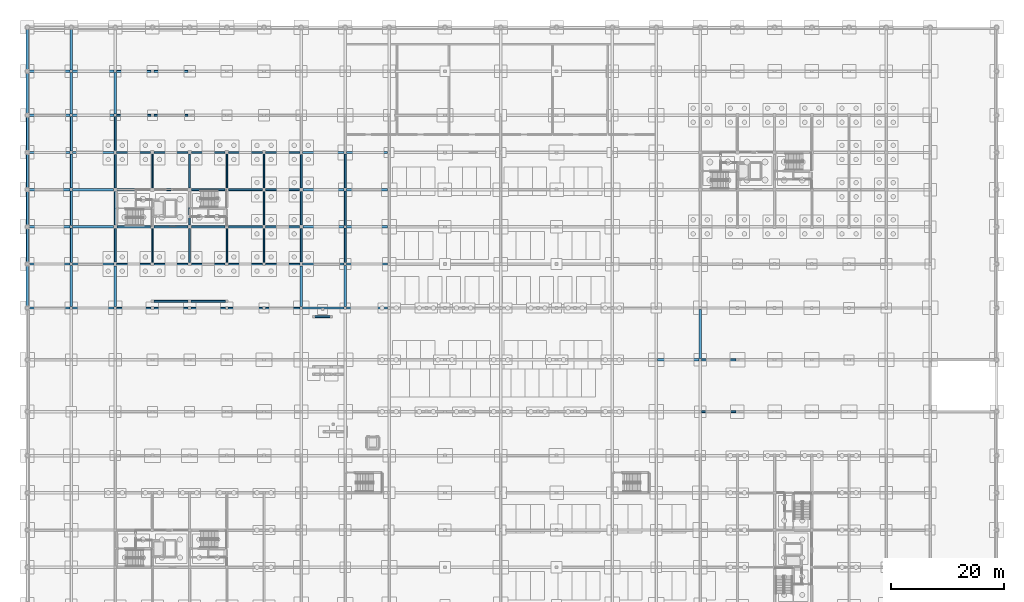
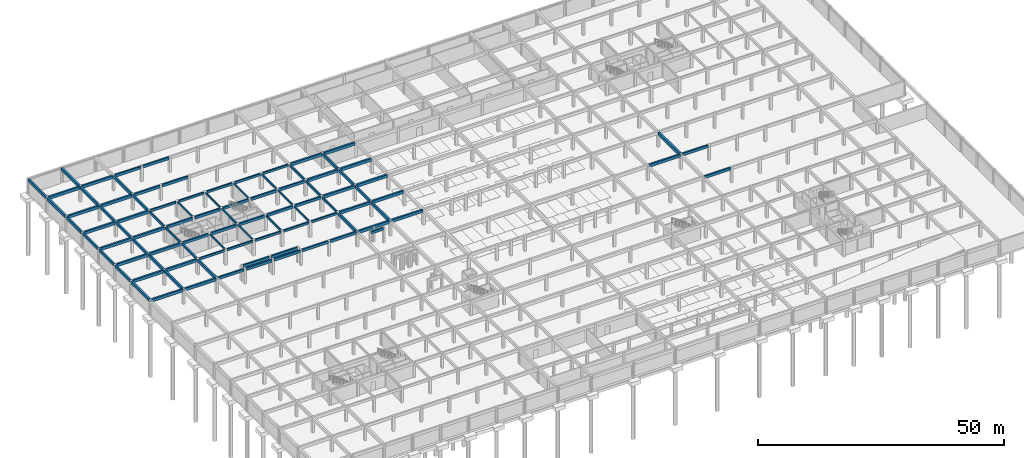
# One storey, part 18 of 37: 98 beams.
"""IFC4 building model written with IfcOpenShell, lengths in metres."""

from ifc_helpers import new_model, si_unit, direction, frame, origin, origin_2d, place, context, subcontext, project, spatial, rectangle, extrude, material, material_profile, profile_set, type_object, element, save


model = new_model("IFC4")

# Units and contexts
model_context = context("Model", 3, precision=1e-05, world=origin(), true_north=direction((0.0, 1.0)))
body_context = subcontext(model_context, "Body", "Model", "MODEL_VIEW")
ifc_project = project(units=[si_unit("LENGTHUNIT", "METRE"), si_unit("AREAUNIT", "SQUARE_METRE"), si_unit("VOLUMEUNIT", "CUBIC_METRE"), si_unit("PLANEANGLEUNIT", "RADIAN"), si_unit("MASSUNIT", "GRAM", prefix="KILO")], contexts=[model_context])

# Site, building, storey
site_placement = place(None, origin())
site = spatial("IfcSite", under=ifc_project, at=site_placement, CompositionType="ELEMENT")
building_placement = place(site_placement, origin())
building = spatial("IfcBuilding", under=site, at=building_placement, Name="Kernevlak Ridge Housing Community", CompositionType="ELEMENT")
storey_placement = place(building_placement, frame((0.0, 0.0, -3.800048828125)))
storey = spatial("IfcBuildingStorey", under=building, at=storey_placement, Name="B1", CompositionType="ELEMENT", Elevation=-3.800048828125)

# Beams
ifc_material = material(Name="Concrete C35/45", Category="concrete")
ifc_material_profile_1 = material_profile(ifc_material, rectangle(XDim=0.39990234375, YDim=0.699951171875, at=origin_2d()), Name="RC 400x700")
ifc_profile_set_1 = profile_set([ifc_material_profile_1], Name="Concrete C35/45")
beam_type_1 = type_object("IfcBeamType", Name="B-01", PredefinedType="BEAM", material=ifc_profile_set_1)
beam_1_placement = place(storey_placement, frame((111.85009765625, 59.0, 3.449951171875), z_axis=(1.0, 0.0, 0.0), x_axis=(0.0, 1.0, 0.0)))
element("IfcBeam", 1, at=beam_1_placement, inside=storey, type_object=beam_type_1, Name="Beam B-01 B1 1704", PredefinedType="BEAM", context=body_context, shape_type="SweptSolid", body=[
    extrude(rectangle(XDim=0.39990234375, YDim=0.699951171875, at=origin_2d()), origin(), (0.0, 0.0, 1.0), 7.2998046875),
])
beam_2_placement = place(storey_placement, frame((0.300048828125, 68.199951171875, 3.449951171875), z_axis=(1.0, 0.0, 0.0), x_axis=(0.0, 1.0, 0.0)))
element("IfcBeam", 2, at=beam_2_placement, inside=storey, type_object=beam_type_1, Name="Beam B-01 B1 1712", PredefinedType="BEAM", context=body_context, shape_type="SweptSolid", body=[
    extrude(rectangle(XDim=0.39990234375, YDim=0.699951171875, at=origin_2d()), origin(), (0.0, 0.0, 1.0), 7.25),
])
beam_3_placement = place(storey_placement, frame((8.050048828125, 68.199951171875, 3.449951171875), z_axis=(1.0, 0.0, 0.0), x_axis=(0.0, 1.0, 0.0)))
element("IfcBeam", 3, at=beam_3_placement, inside=storey, type_object=beam_type_1, Name="Beam B-01 B1 1713", PredefinedType="BEAM", context=body_context, shape_type="SweptSolid", body=[
    extrude(rectangle(XDim=0.39990234375, YDim=0.699951171875, at=origin_2d()), origin(), (0.0, 0.0, 1.0), 7.300048828125),
])
beam_4_placement = place(storey_placement, frame((48.85009765625, 68.199951171875, 3.449951171875), z_axis=(1.0, 0.0, 0.0), x_axis=(0.0, 1.0, 0.0)))
element("IfcBeam", 4, at=beam_4_placement, inside=storey, type_object=beam_type_1, Name="Beam B-01 B1 1719", PredefinedType="BEAM", context=body_context, shape_type="SweptSolid", body=[
    extrude(rectangle(XDim=0.39990234375, YDim=0.699951171875, at=origin_2d()), origin(), (0.0, 0.0, 1.0), 7.2998046875),
])
beam_5_placement = place(storey_placement, frame((56.64990234375, 68.199951171875, 3.449951171875), z_axis=(1.0, 0.0, 0.0), x_axis=(0.0, 1.0, 0.0)))
element("IfcBeam", 5, at=beam_5_placement, inside=storey, type_object=beam_type_1, Name="Beam B-01 B1 1720", PredefinedType="BEAM", context=body_context, shape_type="SweptSolid", body=[
    extrude(rectangle(XDim=0.39990234375, YDim=0.699951171875, at=origin_2d()), origin(), (0.0, 0.0, 1.0), 7.275146484375),
])
beam_6_placement = place(storey_placement, frame((0.300048828125, 76.0, 3.449951171875), z_axis=(1.0, 0.0, 0.0), x_axis=(0.0, 1.0, 0.0)))
element("IfcBeam", 6, at=beam_6_placement, inside=storey, type_object=beam_type_1, Name="Beam B-01 B1 1739", PredefinedType="BEAM", context=body_context, shape_type="SweptSolid", body=[
    extrude(rectangle(XDim=0.39990234375, YDim=0.699951171875, at=origin_2d()), origin(), (0.0, 0.0, 1.0), 7.25),
])
beam_7_placement = place(storey_placement, frame((8.050048828125, 76.0, 3.449951171875), z_axis=(1.0, 0.0, 0.0), x_axis=(0.0, 1.0, 0.0)))
element("IfcBeam", 7, at=beam_7_placement, inside=storey, type_object=beam_type_1, Name="Beam B-01 B1 1740", PredefinedType="BEAM", context=body_context, shape_type="SweptSolid", body=[
    extrude(rectangle(XDim=0.39990234375, YDim=0.699951171875, at=origin_2d()), origin(), (0.0, 0.0, 1.0), 7.300048828125),
])
beam_8_placement = place(storey_placement, frame((48.85009765625, 76.0, 3.449951171875), z_axis=(1.0, 0.0, 0.0), x_axis=(0.0, 1.0, 0.0)))
element("IfcBeam", 8, at=beam_8_placement, inside=storey, type_object=beam_type_1, Name="Beam B-01 B1 1741", PredefinedType="BEAM", context=body_context, shape_type="SweptSolid", body=[
    extrude(rectangle(XDim=0.39990234375, YDim=0.699951171875, at=origin_2d()), origin(), (0.0, 0.0, 1.0), 7.2998046875),
])
beam_9_placement = place(storey_placement, frame((56.64990234375, 76.0, 3.449951171875), z_axis=(1.0, 0.0, 0.0), x_axis=(0.0, 1.0, 0.0)))
element("IfcBeam", 9, at=beam_9_placement, inside=storey, type_object=beam_type_1, Name="Beam B-01 B1 1742", PredefinedType="BEAM", context=body_context, shape_type="SweptSolid", body=[
    extrude(rectangle(XDim=0.39990234375, YDim=0.699951171875, at=origin_2d()), origin(), (0.0, 0.0, 1.0), 7.300048828125),
])
for number, where, z_axis, x_axis, name in (
    (10, (0.300048828125, 82.60009765625, 3.449951171875), (1.0, 0.0, 0.0), (0.0, 1.0, 0.0), "Beam B-01 B1 1755"),
    (11, (8.050048828125, 82.60009765625, 3.449951171875), (1.0, 0.0, 0.0), (0.0, 1.0, 0.0), "Beam B-01 B1 1756"),
    (12, (48.89990234375, 82.60009765625, 3.449951171875), (1.0, 0.0, 0.0), (0.0, 1.0, 0.0), "Beam B-01 B1 1757"),
):
    element("IfcBeam", number, at=place(storey_placement, frame(where, z_axis=z_axis, x_axis=x_axis)), inside=storey, type_object=beam_type_1, Name=name, PredefinedType="BEAM", context=body_context, shape_type="SweptSolid", body=[
        extrude(rectangle(XDim=0.39990234375, YDim=0.699951171875, at=origin_2d()), origin(), (0.0, 0.0, 1.0), 7.25),
    ])
beam_10_placement = place(storey_placement, frame((56.64990234375, 82.60009765625, 3.449951171875), z_axis=(1.0, 0.0, 0.0), x_axis=(0.0, 1.0, 0.0)))
element("IfcBeam", 13, at=beam_10_placement, inside=storey, type_object=beam_type_1, Name="Beam B-01 B1 1758", PredefinedType="BEAM", context=body_context, shape_type="SweptSolid", body=[
    extrude(rectangle(XDim=0.39990234375, YDim=0.699951171875, at=origin_2d()), origin(), (0.0, 0.0, 1.0), 7.300048828125),
])
for number, where, z_axis, x_axis, name in (
    (14, (0.300048828125, 89.199951171875, 3.449951171875), (1.0, 0.0, 0.0), (0.0, 1.0, 0.0), "Beam B-01 B1 1766"),
    (15, (8.050048828125, 89.199951171875, 3.449951171875), (1.0, 0.0, 0.0), (0.0, 1.0, 0.0), "Beam B-01 B1 1767"),
    (16, (48.89990234375, 89.199951171875, 3.449951171875), (1.0, 0.0, 0.0), (0.0, 1.0, 0.0), "Beam B-01 B1 1768"),
):
    element("IfcBeam", number, at=place(storey_placement, frame(where, z_axis=z_axis, x_axis=x_axis)), inside=storey, type_object=beam_type_1, Name=name, PredefinedType="BEAM", context=body_context, shape_type="SweptSolid", body=[
        extrude(rectangle(XDim=0.39990234375, YDim=0.699951171875, at=origin_2d()), origin(), (0.0, 0.0, 1.0), 7.25),
    ])
beam_11_placement = place(storey_placement, frame((56.64990234375, 89.199951171875, 3.449951171875), z_axis=(1.0, 0.0, 0.0), x_axis=(0.0, 1.0, 0.0)))
element("IfcBeam", 17, at=beam_11_placement, inside=storey, type_object=beam_type_1, Name="Beam B-01 B1 1769", PredefinedType="BEAM", context=body_context, shape_type="SweptSolid", body=[
    extrude(rectangle(XDim=0.39990234375, YDim=0.699951171875, at=origin_2d()), origin(), (0.0, 0.0, 1.0), 7.300048828125),
])
beam_12_placement = place(storey_placement, frame((0.300048828125, 95.800048828125, 3.449951171875), z_axis=(1.0, 0.0, 0.0), x_axis=(0.0, 1.0, 0.0)))
element("IfcBeam", 18, at=beam_12_placement, inside=storey, type_object=beam_type_1, Name="Beam B-01 B1 1777", PredefinedType="BEAM", context=body_context, shape_type="SweptSolid", body=[
    extrude(rectangle(XDim=0.39990234375, YDim=0.699951171875, at=origin_2d()), origin(), (0.0, 0.0, 1.0), 7.25),
])
beam_13_placement = place(storey_placement, frame((8.050048828125, 95.800048828125, 3.449951171875), z_axis=(1.0, 0.0, 0.0), x_axis=(0.0, 1.0, 0.0)))
element("IfcBeam", 19, at=beam_13_placement, inside=storey, type_object=beam_type_1, Name="Beam B-01 B1 1778", PredefinedType="BEAM", context=body_context, shape_type="SweptSolid", body=[
    extrude(rectangle(XDim=0.39990234375, YDim=0.699951171875, at=origin_2d()), origin(), (0.0, 0.0, 1.0), 7.300048828125),
])
beam_14_placement = place(storey_placement, frame((48.85009765625, 95.800048828125, 3.449951171875), z_axis=(1.0, 0.0, 0.0), x_axis=(0.0, 1.0, 0.0)))
element("IfcBeam", 20, at=beam_14_placement, inside=storey, type_object=beam_type_1, Name="Beam B-01 B1 1779", PredefinedType="BEAM", context=body_context, shape_type="SweptSolid", body=[
    extrude(rectangle(XDim=0.39990234375, YDim=0.699951171875, at=origin_2d()), origin(), (0.0, 0.0, 1.0), 7.2998046875),
])
beam_15_placement = place(storey_placement, frame((56.64990234375, 95.800048828125, 3.449951171875), z_axis=(1.0, 0.0, 0.0), x_axis=(0.0, 1.0, 0.0)))
element("IfcBeam", 21, at=beam_15_placement, inside=storey, type_object=beam_type_1, Name="Beam B-01 B1 1780", PredefinedType="BEAM", context=body_context, shape_type="SweptSolid", body=[
    extrude(rectangle(XDim=0.39990234375, YDim=0.699951171875, at=origin_2d()), origin(), (0.0, 0.0, 1.0), 7.300048828125),
])
beam_16_placement = place(storey_placement, frame((0.300048828125, 102.39990234375, 3.449951171875), z_axis=(1.0, 0.0, 0.0), x_axis=(0.0, 1.0, 0.0)))
element("IfcBeam", 22, at=beam_16_placement, inside=storey, type_object=beam_type_1, Name="Beam B-01 B1 1788", PredefinedType="BEAM", context=body_context, shape_type="SweptSolid", body=[
    extrude(rectangle(XDim=0.39990234375, YDim=0.699951171875, at=origin_2d()), origin(), (0.0, 0.0, 1.0), 7.25),
])
beam_17_placement = place(storey_placement, frame((8.050048828125, 102.39990234375, 3.449951171875), z_axis=(1.0, 0.0, 0.0), x_axis=(0.0, 1.0, 0.0)))
element("IfcBeam", 23, at=beam_17_placement, inside=storey, type_object=beam_type_1, Name="Beam B-01 B1 1789", PredefinedType="BEAM", context=body_context, shape_type="SweptSolid", body=[
    extrude(rectangle(XDim=0.39990234375, YDim=0.699951171875, at=origin_2d()), origin(), (0.0, 0.0, 1.0), 7.300048828125),
])
beam_18_placement = place(storey_placement, frame((0.300048828125, 110.199951171875, 3.449951171875), z_axis=(1.0, 0.0, 0.0), x_axis=(0.0, 1.0, 0.0)))
element("IfcBeam", 24, at=beam_18_placement, inside=storey, type_object=beam_type_1, Name="Beam B-01 B1 1804", PredefinedType="BEAM", context=body_context, shape_type="SweptSolid", body=[
    extrude(rectangle(XDim=0.39990234375, YDim=0.699951171875, at=origin_2d()), origin(), (0.0, 0.0, 1.0), 7.25),
])
beam_19_placement = place(storey_placement, frame((8.050048828125, 110.199951171875, 3.449951171875), z_axis=(1.0, 0.0, 0.0), x_axis=(0.0, 1.0, 0.0)))
element("IfcBeam", 25, at=beam_19_placement, inside=storey, type_object=beam_type_1, Name="Beam B-01 B1 1805", PredefinedType="BEAM", context=body_context, shape_type="SweptSolid", body=[
    extrude(rectangle(XDim=0.39990234375, YDim=0.699951171875, at=origin_2d()), origin(), (0.0, 0.0, 1.0), 7.300048828125),
])
for number, where, z_axis, x_axis, name in (
    (26, (0.0, 68.5, 3.449951171875), (0.0, 1.0, 0.0), (-1.0, 0.0, 0.0), "Beam B-01 B1 1855"),
    (27, (0.0, 102.699951171875, 3.449951171875), (0.0, 1.0, 0.0), (-1.0, 0.0, 0.0), "Beam B-01 B1 1860"),
):
    element("IfcBeam", number, at=place(storey_placement, frame(where, z_axis=z_axis, x_axis=x_axis)), inside=storey, type_object=beam_type_1, Name=name, PredefinedType="BEAM", context=body_context, shape_type="SweptSolid", body=[
        extrude(rectangle(XDim=0.39990234375, YDim=0.699951171875, at=origin_2d()), origin(), (0.0, 0.0, 1.0), 7.199951171875),
    ])
beam_20_placement = place(storey_placement, frame((0.0, 110.5, 3.449951171875), z_axis=(0.0, 1.0, 0.0), x_axis=(-1.0, 0.0, 0.0)))
element("IfcBeam", 28, at=beam_20_placement, inside=storey, type_object=beam_type_1, Name="Beam B-01 B1 1861", PredefinedType="BEAM", context=body_context, shape_type="SweptSolid", body=[
    extrude(rectangle(XDim=0.39990234375, YDim=0.699951171875, at=origin_2d()), origin(), (0.0, 0.0, 1.0), 7.14990234375),
])
for number, where, z_axis, x_axis, name in (
    (29, (7.800048828125, 68.449951171875, 3.449951171875), (0.0, 1.0, 0.0), (-1.0, 0.0, 0.0), "Beam B-01 B1 1871"),
    (30, (7.800048828125, 102.64990234375, 3.449951171875), (0.0, 1.0, 0.0), (-1.0, 0.0, 0.0), "Beam B-01 B1 1876"),
):
    element("IfcBeam", number, at=place(storey_placement, frame(where, z_axis=z_axis, x_axis=x_axis)), inside=storey, type_object=beam_type_1, Name=name, PredefinedType="BEAM", context=body_context, shape_type="SweptSolid", body=[
        extrude(rectangle(XDim=0.39990234375, YDim=0.699951171875, at=origin_2d()), origin(), (0.0, 0.0, 1.0), 7.300048828125),
    ])
beam_21_placement = place(storey_placement, frame((7.800048828125, 110.449951171875, 3.449951171875), z_axis=(0.0, 1.0, 0.0), x_axis=(-1.0, 0.0, 0.0)))
element("IfcBeam", 31, at=beam_21_placement, inside=storey, type_object=beam_type_1, Name="Beam B-01 B1 1877", PredefinedType="BEAM", context=body_context, shape_type="SweptSolid", body=[
    extrude(rectangle(XDim=0.39990234375, YDim=0.699951171875, at=origin_2d()), origin(), (0.0, 0.0, 1.0), 7.25),
])
beam_22_placement = place(storey_placement, frame((15.60009765625, 68.449951171875, 3.449951171875), z_axis=(0.0, 1.0, 0.0), x_axis=(-1.0, 0.0, 0.0)))
element("IfcBeam", 32, at=beam_22_placement, inside=storey, type_object=beam_type_1, Name="Beam B-01 B1 1884", PredefinedType="BEAM", context=body_context, shape_type="SweptSolid", body=[
    extrude(rectangle(XDim=0.39990234375, YDim=0.699951171875, at=origin_2d()), origin(), (0.0, 0.0, 1.0), 7.175048828125),
])
beam_23_placement = place(storey_placement, frame((15.60009765625, 102.64990234375, 3.449951171875), z_axis=(0.0, 1.0, 0.0), x_axis=(-1.0, 0.0, 0.0)))
element("IfcBeam", 33, at=beam_23_placement, inside=storey, type_object=beam_type_1, Name="Beam B-01 B1 1886", PredefinedType="BEAM", context=body_context, shape_type="SweptSolid", body=[
    extrude(rectangle(XDim=0.39990234375, YDim=0.699951171875, at=origin_2d()), origin(), (0.0, 0.0, 1.0), 7.300048828125),
])
beam_24_placement = place(storey_placement, frame((48.60009765625, 68.449951171875, 3.449951171875), z_axis=(0.0, 1.0, 0.0), x_axis=(-1.0, 0.0, 0.0)))
element("IfcBeam", 34, at=beam_24_placement, inside=storey, type_object=beam_type_1, Name="Beam B-01 B1 1897", PredefinedType="BEAM", context=body_context, shape_type="SweptSolid", body=[
    extrude(rectangle(XDim=0.39990234375, YDim=0.699951171875, at=origin_2d()), origin(), (0.0, 0.0, 1.0), 7.175048828125),
])
beam_25_placement = place(storey_placement, frame((56.39990234375, 68.449951171875, 3.449951171875), z_axis=(0.0, 1.0, 0.0), x_axis=(-1.0, 0.0, 0.0)))
element("IfcBeam", 35, at=beam_25_placement, inside=storey, type_object=beam_type_1, Name="Beam B-01 B1 1910", PredefinedType="BEAM", context=body_context, shape_type="SweptSolid", body=[
    extrude(rectangle(XDim=0.39990234375, YDim=0.699951171875, at=origin_2d()), origin(), (0.0, 0.0, 1.0), 7.300048828125),
])
ifc_material_profile_2 = material_profile(ifc_material, rectangle(XDim=0.35009765625, YDim=0.64990234375, at=origin_2d()), Name="RC 350x650")
ifc_profile_set_2 = profile_set([ifc_material_profile_2], Name="Concrete C35/45")
beam_type_2 = type_object("IfcBeamType", Name="B-02", PredefinedType="BEAM", material=ifc_profile_set_2)
for number, where, z_axis, x_axis, name in (
    (36, (15.89990234375, 82.60009765625, 3.47509765625), (1.0, 0.0, 0.0), (0.0, 1.0, 0.0), "Beam B-02 B1 6"),
    (37, (22.5, 82.60009765625, 3.47509765625), (1.0, 0.0, 0.0), (0.0, 1.0, 0.0), "Beam B-02 B1 7"),
    (38, (29.10009765625, 82.60009765625, 3.47509765625), (1.0, 0.0, 0.0), (0.0, 1.0, 0.0), "Beam B-02 B1 8"),
    (39, (35.699951171875, 82.60009765625, 3.47509765625), (1.0, 0.0, 0.0), (0.0, 1.0, 0.0), "Beam B-02 B1 9"),
    (40, (42.300048828125, 82.60009765625, 3.47509765625), (1.0, 0.0, 0.0), (0.0, 1.0, 0.0), "Beam B-02 B1 10"),
    (41, (15.89990234375, 89.199951171875, 3.47509765625), (1.0, 0.0, 0.0), (0.0, 1.0, 0.0), "Beam B-02 B1 11"),
    (42, (22.5, 89.199951171875, 3.47509765625), (1.0, 0.0, 0.0), (0.0, 1.0, 0.0), "Beam B-02 B1 12"),
    (43, (29.10009765625, 89.199951171875, 3.47509765625), (1.0, 0.0, 0.0), (0.0, 1.0, 0.0), "Beam B-02 B1 13"),
    (44, (35.699951171875, 89.199951171875, 3.47509765625), (1.0, 0.0, 0.0), (0.0, 1.0, 0.0), "Beam B-02 B1 14"),
    (45, (42.300048828125, 89.199951171875, 3.47509765625), (1.0, 0.0, 0.0), (0.0, 1.0, 0.0), "Beam B-02 B1 15"),
):
    element("IfcBeam", number, at=place(storey_placement, frame(where, z_axis=z_axis, x_axis=x_axis)), inside=storey, type_object=beam_type_2, Name=name, PredefinedType="BEAM", context=body_context, shape_type="SweptSolid", body=[
        extrude(rectangle(XDim=0.35009765625, YDim=0.64990234375, at=origin_2d()), origin(), (0.0, 0.0, 1.0), 6.0),
    ])
for number, where, z_axis, x_axis, name in (
    (46, (119.64990234375, 49.800048828125, 3.47509765625), (1.0, 0.0, 0.0), (0.0, 1.0, 0.0), "Beam B-02 B1 1679"),
    (47, (119.64990234375, 59.0, 3.47509765625), (1.0, 0.0, 0.0), (0.0, 1.0, 0.0), "Beam B-02 B1 1705"),
):
    element("IfcBeam", number, at=place(storey_placement, frame(where, z_axis=z_axis, x_axis=x_axis)), inside=storey, type_object=beam_type_2, Name=name, PredefinedType="BEAM", context=body_context, shape_type="SweptSolid", body=[
        extrude(rectangle(XDim=0.35009765625, YDim=0.64990234375, at=origin_2d()), origin(), (0.0, 0.0, 1.0), 6.10009765625),
    ])
beam_26_placement = place(storey_placement, frame((50.97509765625, 66.64990234375, 3.47509765625), z_axis=(1.0, 0.0, 0.0), x_axis=(0.0, 1.0, 0.0)))
element("IfcBeam", 48, at=beam_26_placement, inside=storey, type_object=beam_type_2, Name="Beam B-02 B1 1711", PredefinedType="BEAM", context=body_context, shape_type="SweptSolid", body=[
    extrude(rectangle(XDim=0.35009765625, YDim=0.64990234375, at=origin_2d()), origin(), (0.0, 0.0, 1.0), 2.7998046875),
])
beam_27_placement = place(storey_placement, frame((15.85009765625, 68.199951171875, 3.47509765625), z_axis=(1.0, 0.0, 0.0), x_axis=(0.0, 1.0, 0.0)))
element("IfcBeam", 49, at=beam_27_placement, inside=storey, type_object=beam_type_2, Name="Beam B-02 B1 1714", PredefinedType="BEAM", context=body_context, shape_type="SweptSolid", body=[
    extrude(rectangle(XDim=0.35009765625, YDim=0.64990234375, at=origin_2d()), origin(), (0.0, 0.0, 1.0), 6.099853515625),
])
beam_28_placement = place(storey_placement, frame((22.449951171875, 68.199951171875, 3.47509765625), z_axis=(1.0, 0.0, 0.0), x_axis=(0.0, 1.0, 0.0)))
element("IfcBeam", 50, at=beam_28_placement, inside=storey, type_object=beam_type_2, Name="Beam B-02 B1 1715", PredefinedType="BEAM", context=body_context, shape_type="SweptSolid", body=[
    extrude(rectangle(XDim=0.35009765625, YDim=0.64990234375, at=origin_2d()), origin(), (0.0, 0.0, 1.0), 6.10009765625),
])
beam_29_placement = place(storey_placement, frame((29.050048828125, 68.199951171875, 3.47509765625), z_axis=(1.0, 0.0, 0.0), x_axis=(0.0, 1.0, 0.0)))
element("IfcBeam", 51, at=beam_29_placement, inside=storey, type_object=beam_type_2, Name="Beam B-02 B1 1716", PredefinedType="BEAM", context=body_context, shape_type="SweptSolid", body=[
    extrude(rectangle(XDim=0.35009765625, YDim=0.64990234375, at=origin_2d()), origin(), (0.0, 0.0, 1.0), 6.099853515625),
])
for number, where, z_axis, x_axis, name in (
    (52, (35.64990234375, 68.199951171875, 3.47509765625), (1.0, 0.0, 0.0), (0.0, 1.0, 0.0), "Beam B-02 B1 1717"),
    (53, (42.25, 68.199951171875, 3.47509765625), (1.0, 0.0, 0.0), (0.0, 1.0, 0.0), "Beam B-02 B1 1718"),
    (54, (22.449951171875, 69.39990234375, 3.47509765625), (1.0, 0.0, 0.0), (0.0, 1.0, 0.0), "Beam B-02 B1 1737"),
):
    element("IfcBeam", number, at=place(storey_placement, frame(where, z_axis=z_axis, x_axis=x_axis)), inside=storey, type_object=beam_type_2, Name=name, PredefinedType="BEAM", context=body_context, shape_type="SweptSolid", body=[
        extrude(rectangle(XDim=0.35009765625, YDim=0.64990234375, at=origin_2d()), origin(), (0.0, 0.0, 1.0), 6.10009765625),
    ])
for number, where, z_axis, x_axis, name in (
    (55, (29.050048828125, 69.39990234375, 3.47509765625), (1.0, 0.0, 0.0), (0.0, 1.0, 0.0), "Beam B-02 B1 1738"),
    (56, (15.85009765625, 102.39990234375, 3.47509765625), (1.0, 0.0, 0.0), (0.0, 1.0, 0.0), "Beam B-02 B1 1790"),
):
    element("IfcBeam", number, at=place(storey_placement, frame(where, z_axis=z_axis, x_axis=x_axis)), inside=storey, type_object=beam_type_2, Name=name, PredefinedType="BEAM", context=body_context, shape_type="SweptSolid", body=[
        extrude(rectangle(XDim=0.35009765625, YDim=0.64990234375, at=origin_2d()), origin(), (0.0, 0.0, 1.0), 6.099853515625),
    ])
beam_30_placement = place(storey_placement, frame((22.449951171875, 102.39990234375, 3.47509765625), z_axis=(1.0, 0.0, 0.0), x_axis=(0.0, 1.0, 0.0)))
element("IfcBeam", 57, at=beam_30_placement, inside=storey, type_object=beam_type_2, Name="Beam B-02 B1 1791", PredefinedType="BEAM", context=body_context, shape_type="SweptSolid", body=[
    extrude(rectangle(XDim=0.35009765625, YDim=0.64990234375, at=origin_2d()), origin(), (0.0, 0.0, 1.0), 6.10009765625),
])
beam_31_placement = place(storey_placement, frame((15.85009765625, 110.199951171875, 3.47509765625), z_axis=(1.0, 0.0, 0.0), x_axis=(0.0, 1.0, 0.0)))
element("IfcBeam", 58, at=beam_31_placement, inside=storey, type_object=beam_type_2, Name="Beam B-02 B1 1806", PredefinedType="BEAM", context=body_context, shape_type="SweptSolid", body=[
    extrude(rectangle(XDim=0.35009765625, YDim=0.64990234375, at=origin_2d()), origin(), (0.0, 0.0, 1.0), 6.099853515625),
])
beam_32_placement = place(storey_placement, frame((22.449951171875, 110.199951171875, 3.47509765625), z_axis=(1.0, 0.0, 0.0), x_axis=(0.0, 1.0, 0.0)))
element("IfcBeam", 59, at=beam_32_placement, inside=storey, type_object=beam_type_2, Name="Beam B-02 B1 1807", PredefinedType="BEAM", context=body_context, shape_type="SweptSolid", body=[
    extrude(rectangle(XDim=0.35009765625, YDim=0.64990234375, at=origin_2d()), origin(), (0.0, 0.0, 1.0), 6.10009765625),
])
for number, where, z_axis, x_axis, name in (
    (60, (0.0, 76.300048828125, 3.47509765625), (0.0, 1.0, 0.0), (-1.0, 0.0, 0.0), "Beam B-02 B1 1856"),
    (61, (0.0, 82.89990234375, 3.47509765625), (0.0, 1.0, 0.0), (-1.0, 0.0, 0.0), "Beam B-02 B1 1857"),
    (62, (0.0, 89.5, 3.47509765625), (0.0, 1.0, 0.0), (-1.0, 0.0, 0.0), "Beam B-02 B1 1858"),
    (63, (0.0, 96.10009765625, 3.47509765625), (0.0, 1.0, 0.0), (-1.0, 0.0, 0.0), "Beam B-02 B1 1859"),
):
    element("IfcBeam", number, at=place(storey_placement, frame(where, z_axis=z_axis, x_axis=x_axis)), inside=storey, type_object=beam_type_2, Name=name, PredefinedType="BEAM", context=body_context, shape_type="SweptSolid", body=[
        extrude(rectangle(XDim=0.35009765625, YDim=0.64990234375, at=origin_2d()), origin(), (0.0, 0.0, 1.0), 6.0),
    ])
beam_33_placement = place(storey_placement, frame((7.800048828125, 76.25, 3.47509765625), z_axis=(0.0, 1.0, 0.0), x_axis=(-1.0, 0.0, 0.0)))
element("IfcBeam", 64, at=beam_33_placement, inside=storey, type_object=beam_type_2, Name="Beam B-02 B1 1872", PredefinedType="BEAM", context=body_context, shape_type="SweptSolid", body=[
    extrude(rectangle(XDim=0.35009765625, YDim=0.64990234375, at=origin_2d()), origin(), (0.0, 0.0, 1.0), 6.10009765625),
])
beam_34_placement = place(storey_placement, frame((7.800048828125, 82.85009765625, 3.47509765625), z_axis=(0.0, 1.0, 0.0), x_axis=(-1.0, 0.0, 0.0)))
element("IfcBeam", 65, at=beam_34_placement, inside=storey, type_object=beam_type_2, Name="Beam B-02 B1 1873", PredefinedType="BEAM", context=body_context, shape_type="SweptSolid", body=[
    extrude(rectangle(XDim=0.35009765625, YDim=0.64990234375, at=origin_2d()), origin(), (0.0, 0.0, 1.0), 6.099853515625),
])
beam_35_placement = place(storey_placement, frame((7.800048828125, 89.449951171875, 3.47509765625), z_axis=(0.0, 1.0, 0.0), x_axis=(-1.0, 0.0, 0.0)))
element("IfcBeam", 66, at=beam_35_placement, inside=storey, type_object=beam_type_2, Name="Beam B-02 B1 1874", PredefinedType="BEAM", context=body_context, shape_type="SweptSolid", body=[
    extrude(rectangle(XDim=0.35009765625, YDim=0.64990234375, at=origin_2d()), origin(), (0.0, 0.0, 1.0), 6.10009765625),
])
beam_36_placement = place(storey_placement, frame((7.800048828125, 96.050048828125, 3.47509765625), z_axis=(0.0, 1.0, 0.0), x_axis=(-1.0, 0.0, 0.0)))
element("IfcBeam", 67, at=beam_36_placement, inside=storey, type_object=beam_type_2, Name="Beam B-02 B1 1875", PredefinedType="BEAM", context=body_context, shape_type="SweptSolid", body=[
    extrude(rectangle(XDim=0.35009765625, YDim=0.64990234375, at=origin_2d()), origin(), (0.0, 0.0, 1.0), 6.099853515625),
])
beam_37_placement = place(storey_placement, frame((15.60009765625, 96.175048828125, 3.47509765625), z_axis=(0.0, 1.0, 0.0), x_axis=(-1.0, 0.0, 0.0)))
element("IfcBeam", 68, at=beam_37_placement, inside=storey, type_object=beam_type_2, Name="Beam B-02 B1 1885", PredefinedType="BEAM", context=body_context, shape_type="SweptSolid", body=[
    extrude(rectangle(XDim=0.35009765625, YDim=0.64990234375, at=origin_2d()), origin(), (0.0, 0.0, 1.0), 5.974853515625),
])
beam_38_placement = place(storey_placement, frame((56.39990234375, 76.25, 3.47509765625), z_axis=(0.0, 1.0, 0.0), x_axis=(-1.0, 0.0, 0.0)))
element("IfcBeam", 69, at=beam_38_placement, inside=storey, type_object=beam_type_2, Name="Beam B-02 B1 1911", PredefinedType="BEAM", context=body_context, shape_type="SweptSolid", body=[
    extrude(rectangle(XDim=0.35009765625, YDim=0.64990234375, at=origin_2d()), origin(), (0.0, 0.0, 1.0), 6.10009765625),
])
beam_39_placement = place(storey_placement, frame((56.39990234375, 82.85009765625, 3.47509765625), z_axis=(0.0, 1.0, 0.0), x_axis=(-1.0, 0.0, 0.0)))
element("IfcBeam", 70, at=beam_39_placement, inside=storey, type_object=beam_type_2, Name="Beam B-02 B1 1912", PredefinedType="BEAM", context=body_context, shape_type="SweptSolid", body=[
    extrude(rectangle(XDim=0.35009765625, YDim=0.64990234375, at=origin_2d()), origin(), (0.0, 0.0, 1.0), 6.099853515625),
])
beam_40_placement = place(storey_placement, frame((56.39990234375, 89.449951171875, 3.47509765625), z_axis=(0.0, 1.0, 0.0), x_axis=(-1.0, 0.0, 0.0)))
element("IfcBeam", 71, at=beam_40_placement, inside=storey, type_object=beam_type_2, Name="Beam B-02 B1 1913", PredefinedType="BEAM", context=body_context, shape_type="SweptSolid", body=[
    extrude(rectangle(XDim=0.35009765625, YDim=0.64990234375, at=origin_2d()), origin(), (0.0, 0.0, 1.0), 6.10009765625),
])
ifc_material_profile_3 = material_profile(ifc_material, rectangle(XDim=0.25, YDim=0.449951171875, at=origin_2d()), Name="RC 250x450")
ifc_profile_set_3 = profile_set([ifc_material_profile_3], Name="Concrete C35/45")
beam_type_3 = type_object("IfcBeamType", Name="B-04", PredefinedType="T_BEAM", material=ifc_profile_set_3)
for number, where, z_axis, x_axis, name in (
    (72, (22.199951171875, 76.300048828125, 3.574951171875), (0.0, 1.0, 0.0), (-1.0, 0.0, 0.0), "Beam B-04 B1 24"),
    (73, (22.199951171875, 89.5, 3.574951171875), (0.0, 1.0, 0.0), (-1.0, 0.0, 0.0), "Beam B-04 B1 25"),
    (74, (28.800048828125, 76.300048828125, 3.574951171875), (0.0, 1.0, 0.0), (-1.0, 0.0, 0.0), "Beam B-04 B1 26"),
    (75, (28.800048828125, 82.89990234375, 3.574951171875), (0.0, 1.0, 0.0), (-1.0, 0.0, 0.0), "Beam B-04 B1 27"),
    (76, (28.800048828125, 89.5, 3.574951171875), (0.0, 1.0, 0.0), (-1.0, 0.0, 0.0), "Beam B-04 B1 28"),
    (77, (35.39990234375, 76.300048828125, 3.574951171875), (0.0, 1.0, 0.0), (-1.0, 0.0, 0.0), "Beam B-04 B1 29"),
    (78, (35.39990234375, 89.5, 3.574951171875), (0.0, 1.0, 0.0), (-1.0, 0.0, 0.0), "Beam B-04 B1 30"),
    (79, (42.0, 76.300048828125, 3.574951171875), (0.0, 1.0, 0.0), (-1.0, 0.0, 0.0), "Beam B-04 B1 31"),
    (80, (42.0, 82.89990234375, 3.574951171875), (0.0, 1.0, 0.0), (-1.0, 0.0, 0.0), "Beam B-04 B1 32"),
    (81, (42.0, 89.5, 3.574951171875), (0.0, 1.0, 0.0), (-1.0, 0.0, 0.0), "Beam B-04 B1 33"),
):
    element("IfcBeam", number, at=place(storey_placement, frame(where, z_axis=z_axis, x_axis=x_axis)), inside=storey, type_object=beam_type_3, Name=name, PredefinedType="T_BEAM", context=body_context, shape_type="SweptSolid", body=[
        extrude(rectangle(XDim=0.25, YDim=0.449951171875, at=origin_2d()), origin(), (0.0, 0.0, 1.0), 6.0),
    ])
ifc_material_profile_4 = material_profile(ifc_material, rectangle(XDim=0.449951171875, YDim=0.75, at=origin_2d()), Name="RC 450x750")
ifc_profile_set_4 = profile_set([ifc_material_profile_4], Name="Concrete C35/45")
beam_type_4 = type_object("IfcBeamType", Name="B-05", PredefinedType="BEAM", material=ifc_profile_set_4)
beam_41_placement = place(storey_placement, frame((119.39990234375, 59.25, 3.425048828125), z_axis=(0.0, 1.0, 0.0), x_axis=(-1.0, 0.0, 0.0)))
element("IfcBeam", 82, at=beam_41_placement, inside=storey, type_object=beam_type_4, Name="Beam B-05 B1 1992", PredefinedType="BEAM", context=body_context, shape_type="SweptSolid", body=[
    extrude(rectangle(XDim=0.449951171875, YDim=0.75, at=origin_2d()), origin(), (0.0, 0.0, 1.0), 8.699951171875),
])
ifc_material_profile_5 = material_profile(ifc_material, rectangle(XDim=0.300048828125, YDim=0.550048828125, at=origin_2d()), Name="RC 300x550")
ifc_profile_set_5 = profile_set([ifc_material_profile_5], Name="Concrete C35/45")
beam_type_5 = type_object("IfcBeamType", Name="SP-01", PredefinedType="SPANDREL", material=ifc_profile_set_5)
beam_42_placement = place(storey_placement, frame((15.85009765625, 76.0, 3.525146484375), z_axis=(1.0, 0.0, 0.0), x_axis=(0.0, 1.0, 0.0)))
element("IfcBeam", 83, at=beam_42_placement, inside=storey, type_object=beam_type_5, Name="Beam SP-01 B1 1", PredefinedType="SPANDREL", context=body_context, shape_type="SweptSolid", body=[
    extrude(rectangle(XDim=0.300048828125, YDim=0.550048828125, at=origin_2d()), origin(), (0.0, 0.0, 1.0), 6.0498046875),
])
for number, where, z_axis, x_axis, name in (
    (84, (22.5, 76.0, 3.525146484375), (1.0, 0.0, 0.0), (0.0, 1.0, 0.0), "Beam SP-01 B1 2"),
    (85, (29.10009765625, 76.0, 3.525146484375), (1.0, 0.0, 0.0), (0.0, 1.0, 0.0), "Beam SP-01 B1 3"),
    (86, (35.699951171875, 76.0, 3.525146484375), (1.0, 0.0, 0.0), (0.0, 1.0, 0.0), "Beam SP-01 B1 4"),
):
    element("IfcBeam", number, at=place(storey_placement, frame(where, z_axis=z_axis, x_axis=x_axis)), inside=storey, type_object=beam_type_5, Name=name, PredefinedType="SPANDREL", context=body_context, shape_type="SweptSolid", body=[
        extrude(rectangle(XDim=0.300048828125, YDim=0.550048828125, at=origin_2d()), origin(), (0.0, 0.0, 1.0), 6.0),
    ])
beam_43_placement = place(storey_placement, frame((42.300048828125, 76.0, 3.525146484375), z_axis=(1.0, 0.0, 0.0), x_axis=(0.0, 1.0, 0.0)))
element("IfcBeam", 87, at=beam_43_placement, inside=storey, type_object=beam_type_5, Name="Beam SP-01 B1 5", PredefinedType="SPANDREL", context=body_context, shape_type="SweptSolid", body=[
    extrude(rectangle(XDim=0.300048828125, YDim=0.550048828125, at=origin_2d()), origin(), (0.0, 0.0, 1.0), 6.050048828125),
])
beam_44_placement = place(storey_placement, frame((15.85009765625, 95.800048828125, 3.525146484375), z_axis=(1.0, 0.0, 0.0), x_axis=(0.0, 1.0, 0.0)))
element("IfcBeam", 88, at=beam_44_placement, inside=storey, type_object=beam_type_5, Name="Beam SP-01 B1 16", PredefinedType="SPANDREL", context=body_context, shape_type="SweptSolid", body=[
    extrude(rectangle(XDim=0.300048828125, YDim=0.550048828125, at=origin_2d()), origin(), (0.0, 0.0, 1.0), 6.0498046875),
])
for number, where, z_axis, x_axis, name in (
    (89, (22.5, 95.800048828125, 3.525146484375), (1.0, 0.0, 0.0), (0.0, 1.0, 0.0), "Beam SP-01 B1 17"),
    (90, (29.10009765625, 95.800048828125, 3.525146484375), (1.0, 0.0, 0.0), (0.0, 1.0, 0.0), "Beam SP-01 B1 18"),
    (91, (35.699951171875, 95.800048828125, 3.525146484375), (1.0, 0.0, 0.0), (0.0, 1.0, 0.0), "Beam SP-01 B1 19"),
):
    element("IfcBeam", number, at=place(storey_placement, frame(where, z_axis=z_axis, x_axis=x_axis)), inside=storey, type_object=beam_type_5, Name=name, PredefinedType="SPANDREL", context=body_context, shape_type="SweptSolid", body=[
        extrude(rectangle(XDim=0.300048828125, YDim=0.550048828125, at=origin_2d()), origin(), (0.0, 0.0, 1.0), 6.0),
    ])
beam_45_placement = place(storey_placement, frame((42.300048828125, 95.800048828125, 3.525146484375), z_axis=(1.0, 0.0, 0.0), x_axis=(0.0, 1.0, 0.0)))
element("IfcBeam", 92, at=beam_45_placement, inside=storey, type_object=beam_type_5, Name="Beam SP-01 B1 20", PredefinedType="SPANDREL", context=body_context, shape_type="SweptSolid", body=[
    extrude(rectangle(XDim=0.300048828125, YDim=0.550048828125, at=origin_2d()), origin(), (0.0, 0.0, 1.0), 6.050048828125),
])
beam_46_placement = place(storey_placement, frame((15.60009765625, 76.375, 3.525146484375), z_axis=(0.0, 1.0, 0.0), x_axis=(-1.0, 0.0, 0.0)))
element("IfcBeam", 93, at=beam_46_placement, inside=storey, type_object=beam_type_5, Name="Beam SP-01 B1 21", PredefinedType="SPANDREL", context=body_context, shape_type="SweptSolid", body=[
    extrude(rectangle(XDim=0.300048828125, YDim=0.550048828125, at=origin_2d()), origin(), (0.0, 0.0, 1.0), 5.925048828125),
])
beam_47_placement = place(storey_placement, frame((15.60009765625, 82.89990234375, 3.525146484375), z_axis=(0.0, 1.0, 0.0), x_axis=(-1.0, 0.0, 0.0)))
element("IfcBeam", 94, at=beam_47_placement, inside=storey, type_object=beam_type_5, Name="Beam SP-01 B1 22", PredefinedType="SPANDREL", context=body_context, shape_type="SweptSolid", body=[
    extrude(rectangle(XDim=0.300048828125, YDim=0.550048828125, at=origin_2d()), origin(), (0.0, 0.0, 1.0), 6.0),
])
for number, where, z_axis, x_axis, name in (
    (95, (15.60009765625, 89.5, 3.525146484375), (0.0, 1.0, 0.0), (-1.0, 0.0, 0.0), "Beam SP-01 B1 23"),
    (96, (48.60009765625, 76.375, 3.525146484375), (0.0, 1.0, 0.0), (-1.0, 0.0, 0.0), "Beam SP-01 B1 34"),
):
    element("IfcBeam", number, at=place(storey_placement, frame(where, z_axis=z_axis, x_axis=x_axis)), inside=storey, type_object=beam_type_5, Name=name, PredefinedType="SPANDREL", context=body_context, shape_type="SweptSolid", body=[
        extrude(rectangle(XDim=0.300048828125, YDim=0.550048828125, at=origin_2d()), origin(), (0.0, 0.0, 1.0), 5.925048828125),
    ])
beam_48_placement = place(storey_placement, frame((48.60009765625, 82.89990234375, 3.525146484375), z_axis=(0.0, 1.0, 0.0), x_axis=(-1.0, 0.0, 0.0)))
element("IfcBeam", 97, at=beam_48_placement, inside=storey, type_object=beam_type_5, Name="Beam SP-01 B1 35", PredefinedType="SPANDREL", context=body_context, shape_type="SweptSolid", body=[
    extrude(rectangle(XDim=0.300048828125, YDim=0.550048828125, at=origin_2d()), origin(), (0.0, 0.0, 1.0), 6.0),
])
beam_49_placement = place(storey_placement, frame((48.60009765625, 89.5, 3.525146484375), z_axis=(0.0, 1.0, 0.0), x_axis=(-1.0, 0.0, 0.0)))
element("IfcBeam", 98, at=beam_49_placement, inside=storey, type_object=beam_type_5, Name="Beam SP-01 B1 36", PredefinedType="SPANDREL", context=body_context, shape_type="SweptSolid", body=[
    extrude(rectangle(XDim=0.300048828125, YDim=0.550048828125, at=origin_2d()), origin(), (0.0, 0.0, 1.0), 5.925048828125),
])

save(model, "model.ifc")
